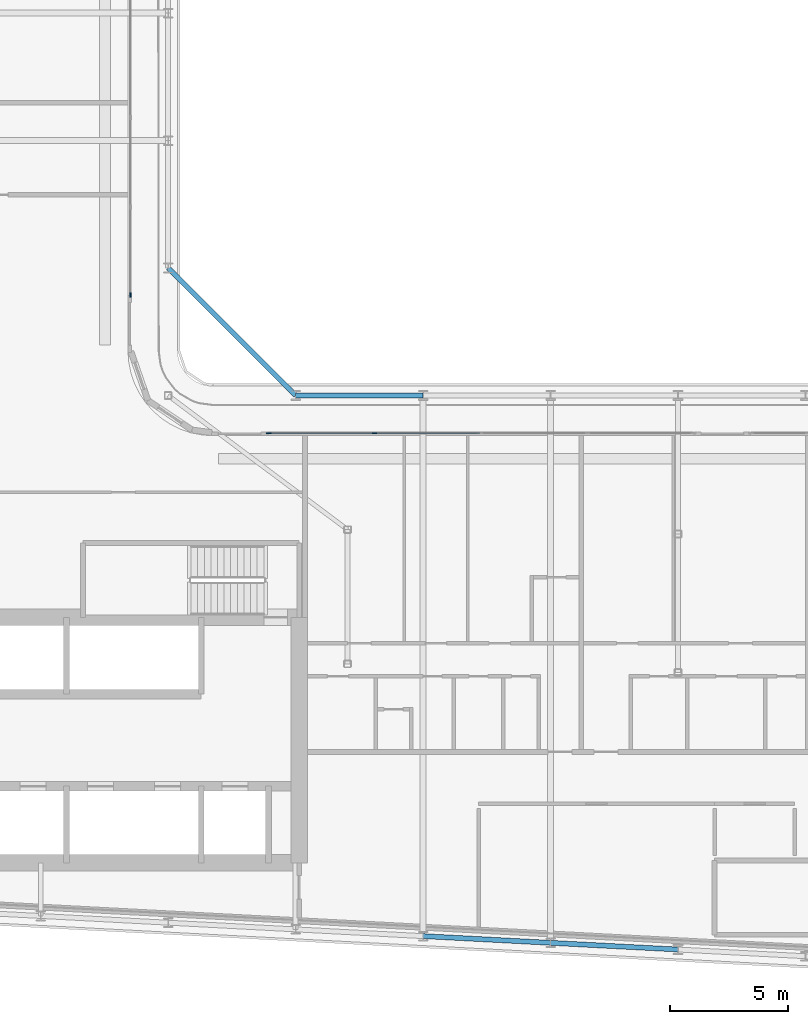
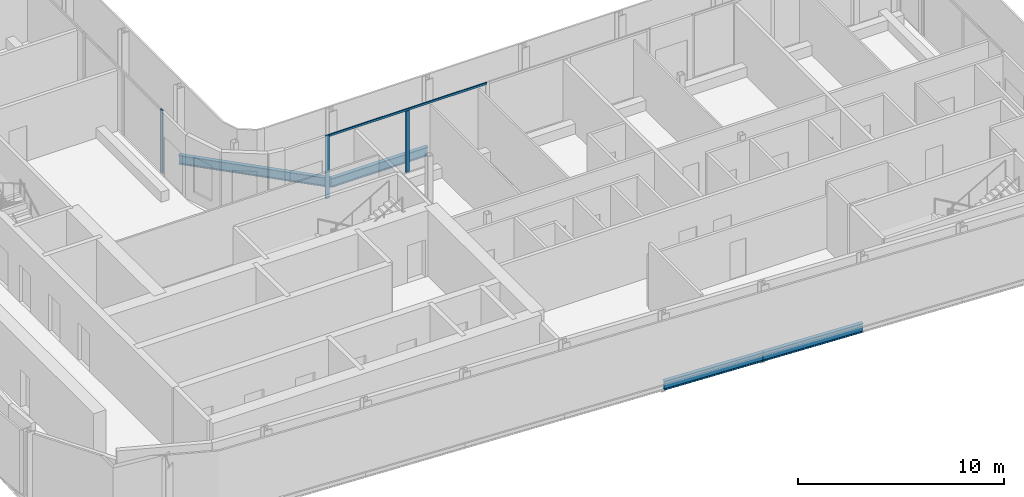
# One storey, part 4 of 21: 4 beams, 4 members, 2 elements without a shape of their own.
"""IFC4 building model written with IfcOpenShell, lengths in metres."""

from ifc_helpers import new_model, si_unit, direction, frame, origin, origin_2d, place, context, subcontext, project, spatial, rectangle, i_section, extrude, material, layer, layer_set, material_profile, profile_set, type_object, element, aggregate, save


model = new_model("IFC4")

# Units and contexts
model_context = context("Model", 3, precision=1e-05, world=origin(), true_north=direction((0.0, 1.0)))
body_context = subcontext(model_context, "Body", "Model", "MODEL_VIEW")
ifc_project = project(units=[si_unit("LENGTHUNIT", "METRE"), si_unit("AREAUNIT", "SQUARE_METRE"), si_unit("VOLUMEUNIT", "CUBIC_METRE"), si_unit("PLANEANGLEUNIT", "RADIAN"), si_unit("MASSUNIT", "GRAM", prefix="KILO")], contexts=[model_context])

# Site, building, storey
site_placement = place(None, origin())
site = spatial("IfcSite", under=ifc_project, at=site_placement, CompositionType="ELEMENT")
building_placement = place(site_placement, origin())
building = spatial("IfcBuilding", under=site, at=building_placement, Name="Kheshtan School and Residences Tower", CompositionType="ELEMENT")
storey_placement = place(building_placement, frame((0.0, 0.0, 220.10009765625)))
storey = spatial("IfcBuildingStorey", under=building, at=storey_placement, Name="L51", CompositionType="ELEMENT", Elevation=220.10009765625)

# Beams
ifc_material_1 = material(Name="Steel ASTM A992 Grade 50", Category="steel")
ifc_material_profile_1 = material_profile(ifc_material_1, i_section(OverallWidth=0.208984375, OverallDepth=0.532958984375, WebThickness=0.01025390625, FlangeThickness=0.015625, FilletRadius=0.013916015625, at=origin_2d()), Name="W530x92")
ifc_profile_set_1 = profile_set([ifc_material_profile_1], Name="Steel ASTM A992 Grade 50")
beam_type = type_object("IfcBeamType", Name="Beam SP3 W530x92 ASTM A992 Grade 50", PredefinedType="BEAM", material=ifc_profile_set_1)
beam_1_placement = place(storey_placement, frame((47.60009765625, 51.0, -0.41650390625), z_axis=(0.707106781187, -0.707106781187, 0.0), x_axis=(0.707106781187, 0.707106781187, 0.0)))
element("IfcBeam", 1, at=beam_1_placement, inside=storey, type_object=beam_type, Name="Spandrel beam C079-C061", PredefinedType="BEAM", context=body_context, shape_type="SweptSolid", body=[
    extrude(i_section(OverallWidth=0.208984375, OverallDepth=0.532958984375, WebThickness=0.01025390625, FlangeThickness=0.015625, FilletRadius=0.013916015625, at=origin_2d()), origin(), (0.0, 0.0, 1.0), 7.63671875),
])
beam_2_placement = place(storey_placement, frame((53.0, 45.60009765625, -0.41650390625), z_axis=(1.0, 0.0, 0.0), x_axis=(0.0, 1.0, 0.0)))
element("IfcBeam", 2, at=beam_2_placement, inside=storey, type_object=beam_type, Name="Spandrel beam C061-C062", PredefinedType="BEAM", context=body_context, shape_type="SweptSolid", body=[
    extrude(i_section(OverallWidth=0.208984375, OverallDepth=0.532958984375, WebThickness=0.01025390625, FlangeThickness=0.015625, FilletRadius=0.013916015625, at=origin_2d()), origin(), (0.0, 0.0, 1.0), 5.39990234375),
])
beam_3_placement = place(storey_placement, frame((69.199951171875, 22.126953125, -0.41650390625), z_axis=(-0.998620447272, 0.05250906864, 0.0), x_axis=(-0.05250906864, -0.998620447272, 0.0)))
element("IfcBeam", 3, at=beam_3_placement, inside=storey, type_object=beam_type, Name="Spandrel beam C014-C016", PredefinedType="BEAM", context=body_context, shape_type="SweptSolid", body=[
    extrude(i_section(OverallWidth=0.208984375, OverallDepth=0.532958984375, WebThickness=0.01025390625, FlangeThickness=0.015625, FilletRadius=0.013916015625, at=origin_2d()), origin(), (0.0, 0.0, 1.0), 5.407470703125),
])
beam_4_placement = place(storey_placement, frame((63.800048828125, 22.410888671875, -0.41650390625), z_axis=(-0.998618203458, 0.052551724256, 0.0), x_axis=(-0.052551724256, -0.998618203458, 0.0)))
element("IfcBeam", 4, at=beam_4_placement, inside=storey, type_object=beam_type, Name="Spandrel beam C016-C018", PredefinedType="BEAM", context=body_context, shape_type="SweptSolid", body=[
    extrude(i_section(OverallWidth=0.208984375, OverallDepth=0.532958984375, WebThickness=0.01025390625, FlangeThickness=0.015625, FilletRadius=0.013916015625, at=origin_2d()), origin(), (0.0, 0.0, 1.0), 5.40771484375),
])

# Curtain wall, member
ifc_material_2 = material(Name="Clear low-e glass in thermally broken aluminium frame", Category="aluminium")
ifc_layer = layer(ifc_material_2, 0.199951171875)
ifc_layer_set = layer_set([ifc_layer], Name="Curtain wall CW-L")
curtain_wall_type = type_object("IfcCurtainWallType", Name="Curtain wall CW-L", PredefinedType="NOTDEFINED", material=ifc_layer_set)
curtain_wall_1_placement = place(storey_placement, origin())
curtain_wall_1 = element("IfcCurtainWall", 5, at=curtain_wall_1_placement, inside=storey, type_object=curtain_wall_type, Name="Curtain wall CWL4a", PredefinedType="NOTDEFINED")
ifc_material_3 = material(Name="Thermally broken aluminium, dark bronze anodised", Category="aluminium")
ifc_material_profile_2 = material_profile(ifc_material_3, rectangle(XDim=0.06005859375, YDim=0.199951171875, at=origin_2d()), Name="CW-L mullion 60x200")
ifc_profile_set_2 = profile_set([ifc_material_profile_2], Name="Thermally broken aluminium, dark bronze anodised")
member_type_1 = type_object("IfcMemberType", Name="CW-L mullion 60x200", PredefinedType="MULLION", material=ifc_profile_set_2)
member_1_placement = place(storey_placement, frame((46.0, 49.860107421875, 0.0), z_axis=(0.0, 0.0, 1.0), x_axis=(1.0, 0.0, 0.0)))
member_1 = element("IfcMember", 6, at=member_1_placement, type_object=member_type_1, Name="CWL4a mullion 3", PredefinedType="MULLION", context=body_context, shape_type="SweptSolid", body=[
    extrude(rectangle(XDim=0.06005859375, YDim=0.199951171875, at=origin_2d()), origin(), (0.0, 0.0, 1.0), 3.75),
])
aggregate(curtain_wall_1, [member_1])

# Curtain wall, members
curtain_wall_2_placement = place(storey_placement, origin())
curtain_wall_2 = element("IfcCurtainWall", 7, at=curtain_wall_2_placement, inside=storey, type_object=curtain_wall_type, Name="Curtain wall CWL8n", PredefinedType="NOTDEFINED")
member_2_placement = place(storey_placement, frame((51.860107421875, 44.0, 0.0), z_axis=(0.0, 0.0, 1.0), x_axis=(0.0, 1.0, 0.0)))
member_2 = element("IfcMember", 8, at=member_2_placement, type_object=member_type_1, Name="CWL8n mullion 1", PredefinedType="MULLION", context=body_context, shape_type="SweptSolid", body=[
    extrude(rectangle(XDim=0.06005859375, YDim=0.199951171875, at=origin_2d()), origin(), (0.0, 0.0, 1.0), 3.75),
])
member_3_placement = place(storey_placement, frame((56.341552734375, 44.0, 0.0), z_axis=(0.0, 0.0, 1.0), x_axis=(0.0, 1.0, 0.0)))
member_3 = element("IfcMember", 9, at=member_3_placement, type_object=member_type_1, Name="CWL8n mullion 2", PredefinedType="MULLION", context=body_context, shape_type="SweptSolid", body=[
    extrude(rectangle(XDim=0.06005859375, YDim=0.199951171875, at=origin_2d()), origin(), (0.0, 0.0, 1.0), 3.6298828125),
])
ifc_material_profile_3 = material_profile(ifc_material_3, rectangle(XDim=0.06005859375, YDim=0.1201171875, at=origin_2d()), Name="CW-L transom 60x120")
ifc_profile_set_3 = profile_set([ifc_material_profile_3], Name="Thermally broken aluminium, dark bronze anodised")
member_type_2 = type_object("IfcMemberType", Name="CW-L transom 60x120", PredefinedType="USERDEFINED", material=ifc_profile_set_3)
member_4_placement = place(storey_placement, frame((51.889892578125, 44.0, 3.68994140625), z_axis=(1.0, 0.0, 0.0), x_axis=(0.0, 1.0, 0.0)))
member_4 = element("IfcMember", 10, at=member_4_placement, type_object=member_type_2, Name="CWL8n transom 1", ObjectType="TRANSOM", PredefinedType="USERDEFINED", context=body_context, shape_type="SweptSolid", body=[
    extrude(rectangle(XDim=0.06005859375, YDim=0.1201171875, at=origin_2d()), origin(), (0.0, 0.0, 1.0), 8.9033203125),
])
aggregate(curtain_wall_2, [member_2, member_3, member_4])

save(model, "model.ifc")
